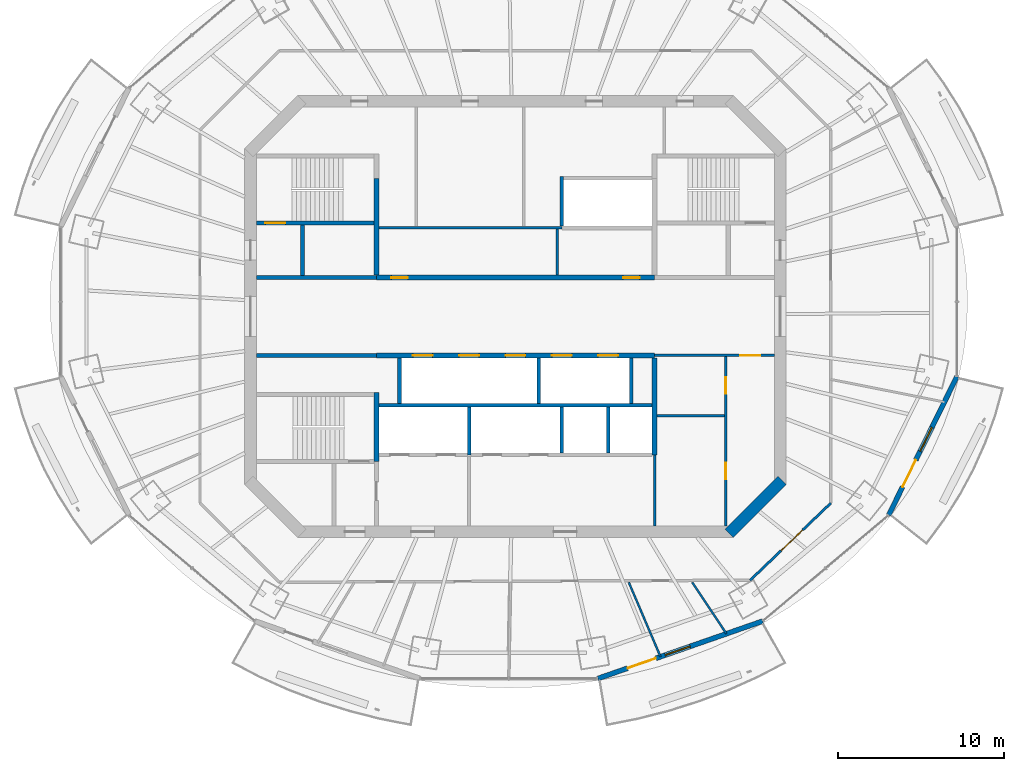
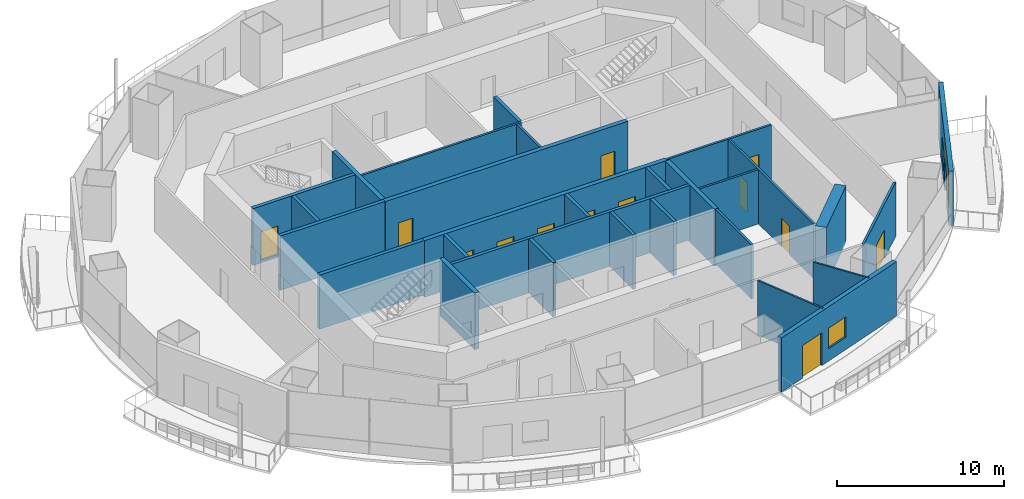
# One storey, part 9 of 16: 29 walls, 14 doors, 2 windows, 16 openings.
"""IFC4 building model written with IfcOpenShell, lengths in metres."""

from ifc_helpers import new_model, si_unit, direction, frame, frame_2d, origin, place, context, subcontext, project, spatial, rectangle, extrude, material, layer, layer_set, type_object, element, fill, save


model = new_model("IFC4")

# Units and contexts
model_context = context("Model", 3, precision=1e-05, world=origin(), true_north=direction((0.0, 1.0)))
body_context = subcontext(model_context, "Body", "Model", "MODEL_VIEW")
ifc_project = project(units=[si_unit("LENGTHUNIT", "METRE"), si_unit("AREAUNIT", "SQUARE_METRE"), si_unit("VOLUMEUNIT", "CUBIC_METRE"), si_unit("PLANEANGLEUNIT", "RADIAN"), si_unit("MASSUNIT", "GRAM", prefix="KILO")], contexts=[model_context])

# Site, building, storey
site_placement = place(None, origin())
site = spatial("IfcSite", under=ifc_project, at=site_placement, CompositionType="ELEMENT")
building_placement = place(site_placement, origin())
building = spatial("IfcBuilding", under=site, at=building_placement, Name="Marenthal Gate Tower", CompositionType="ELEMENT")
storey_placement = place(building_placement, frame((0.0, 0.0, 321.85009765625)))
storey = spatial("IfcBuildingStorey", under=building, at=storey_placement, Name="L72", CompositionType="ELEMENT", Elevation=321.85009765625)

# Wall
ifc_material_1 = material(Name="Concrete 60 MPa", Category="concrete")
ifc_layer_1 = layer(ifc_material_1, 0.699951171875)
ifc_layer_set_1 = layer_set([ifc_layer_1], Name="Core shear wall 700")
wall_type_1 = type_object("IfcWallType", Name="Core shear wall 700", PredefinedType="SHEAR", material=ifc_layer_set_1)
wall_1_placement = place(storey_placement, frame((12.8974609375, -13.1025390625, -0.18017578125), z_axis=(0.0, 0.0, 1.0), x_axis=(0.707106781187, 0.707106781187, 0.0)))
element("IfcWall", 1, at=wall_1_placement, inside=storey, type_object=wall_type_1, Name="Core wall 01", PredefinedType="SHEAR", context=body_context, shape_type="SweptSolid", body=[
    extrude(rectangle(XDim=4.53271484375, YDim=0.699951171875, at=frame_2d((2.266357421875, 0.0))), origin(), (0.0, 0.0, 1.0), 4.150146484375),
])

# Wall, openings, doors
ifc_material_2 = material(Name="Concrete 50 MPa", Category="concrete")
ifc_layer_2 = layer(ifc_material_2, 0.300048828125)
ifc_layer_set_2 = layer_set([ifc_layer_2], Name="Hoistway shear wall 300")
wall_type_2 = type_object("IfcWallType", Name="Hoistway shear wall 300", PredefinedType="SHEAR", material=ifc_layer_set_2)
wall_2_placement = place(storey_placement, frame((-8.39990234375, -2.35009765625, -0.18017578125), z_axis=(0.0, 0.0, 1.0), x_axis=(1.0, 0.0, 0.0)))
wall_2 = element("IfcWall", 2, at=wall_2_placement, inside=storey, type_object=wall_type_2, Name="Hoistway wall 16", PredefinedType="SHEAR", context=body_context, shape_type="SweptSolid", body=[
    extrude(rectangle(XDim=16.7998046875, YDim=0.300048828125, at=frame_2d((8.39990234375, 0.0))), origin(), (0.0, 0.0, 1.0), 4.150146484375),
])
opening_1_placement = place(wall_2_placement, frame((2.199951171875, 0.0, 0.179931640625)))
opening_1 = element("IfcOpeningElement", 3, at=opening_1_placement, cuts=wall_2, Name="Opening LD-HP1", PredefinedType="OPENING", context=body_context, shape_type="SweptSolid", body=[
    extrude(rectangle(XDim=1.199951171875, YDim=2.10009765625, at=frame_2d((0.60009765625, 1.050048828125))), frame((0.0, 0.16015625, 0.0), z_axis=(0.0, -1.0, 0.0), x_axis=(1.0, 0.0, 0.0)), (0.0, 0.0, 1.0), 0.320068359375),
])
opening_2_placement = place(wall_2_placement, frame((5.0, 0.0, 0.179931640625)))
opening_2 = element("IfcOpeningElement", 4, at=opening_2_placement, cuts=wall_2, Name="Opening LD-HP2", PredefinedType="OPENING", context=body_context, shape_type="SweptSolid", body=[
    extrude(rectangle(XDim=1.199951171875, YDim=2.10009765625, at=frame_2d((0.60009765625, 1.050048828125))), frame((0.0, 0.16015625, 0.0), z_axis=(0.0, -1.0, 0.0), x_axis=(1.0, 0.0, 0.0)), (0.0, 0.0, 1.0), 0.320068359375),
])
opening_3_placement = place(wall_2_placement, frame((7.800048828125, 0.0, 0.179931640625)))
opening_3 = element("IfcOpeningElement", 5, at=opening_3_placement, cuts=wall_2, Name="Opening LD-HP3", PredefinedType="OPENING", context=body_context, shape_type="SweptSolid", body=[
    extrude(rectangle(XDim=1.199951171875, YDim=2.10009765625, at=frame_2d((0.60009765625, 1.050048828125))), frame((0.0, 0.16015625, 0.0), z_axis=(0.0, -1.0, 0.0), x_axis=(1.0, 0.0, 0.0)), (0.0, 0.0, 1.0), 0.320068359375),
])
opening_4_placement = place(wall_2_placement, frame((10.60009765625, 0.0, 0.179931640625)))
opening_4 = element("IfcOpeningElement", 6, at=opening_4_placement, cuts=wall_2, Name="Opening LD-HP4", PredefinedType="OPENING", context=body_context, shape_type="SweptSolid", body=[
    extrude(rectangle(XDim=1.199951171875, YDim=2.10009765625, at=frame_2d((0.60009765625, 1.050048828125))), frame((0.0, 0.16015625, 0.0), z_axis=(0.0, -1.0, 0.0), x_axis=(1.0, 0.0, 0.0)), (0.0, 0.0, 1.0), 0.320068359375),
])
opening_5_placement = place(wall_2_placement, frame((13.39990234375, 0.0, 0.179931640625)))
opening_5 = element("IfcOpeningElement", 7, at=opening_5_placement, cuts=wall_2, Name="Opening LD-HP5", PredefinedType="OPENING", context=body_context, shape_type="SweptSolid", body=[
    extrude(rectangle(XDim=1.199951171875, YDim=2.10009765625, at=frame_2d((0.60009765625, 1.050048828125))), frame((0.0, 0.16015625, 0.0), z_axis=(0.0, -1.0, 0.0), x_axis=(1.0, 0.0, 0.0)), (0.0, 0.0, 1.0), 0.320068359375),
])
ifc_material_3 = material(Name="Stainless steel sliding door", Category="steel")
door_type_1 = type_object("IfcDoorType", Name="Lift landing door FD 90 1200 x 2100", OperationType="DOUBLE_DOOR_SLIDING", PredefinedType="DOOR", material=ifc_material_3)
door_1_placement = place(opening_1_placement, origin())
door_1 = element("IfcDoor", 8, at=door_1_placement, inside=storey, type_object=door_type_1, Name="Lift landing door HP1", OperationType="DOUBLE_DOOR_SLIDING", OverallHeight=2.10009765625, OverallWidth=1.199951171875, PredefinedType="DOOR", context=body_context, shape_type="SweptSolid", body=[
    extrude(rectangle(XDim=1.199951171875, YDim=2.10009765625, at=frame_2d((0.60009765625, 1.050048828125))), frame((0.0, 0.02490234375, 0.0), z_axis=(0.0, -1.0, 0.0), x_axis=(1.0, 0.0, 0.0)), (0.0, 0.0, 1.0), 0.050048828125),
])
fill(opening_1, door_1)
door_2_placement = place(opening_2_placement, origin())
door_2 = element("IfcDoor", 9, at=door_2_placement, inside=storey, type_object=door_type_1, Name="Lift landing door HP2", OperationType="DOUBLE_DOOR_SLIDING", OverallHeight=2.10009765625, OverallWidth=1.199951171875, PredefinedType="DOOR", context=body_context, shape_type="SweptSolid", body=[
    extrude(rectangle(XDim=1.199951171875, YDim=2.10009765625, at=frame_2d((0.60009765625, 1.050048828125))), frame((0.0, 0.02490234375, 0.0), z_axis=(0.0, -1.0, 0.0), x_axis=(1.0, 0.0, 0.0)), (0.0, 0.0, 1.0), 0.050048828125),
])
fill(opening_2, door_2)
door_3_placement = place(opening_3_placement, origin())
door_3 = element("IfcDoor", 10, at=door_3_placement, inside=storey, type_object=door_type_1, Name="Lift landing door HP3", OperationType="DOUBLE_DOOR_SLIDING", OverallHeight=2.10009765625, OverallWidth=1.199951171875, PredefinedType="DOOR", context=body_context, shape_type="SweptSolid", body=[
    extrude(rectangle(XDim=1.199951171875, YDim=2.10009765625, at=frame_2d((0.60009765625, 1.050048828125))), frame((0.0, 0.02490234375, 0.0), z_axis=(0.0, -1.0, 0.0), x_axis=(1.0, 0.0, 0.0)), (0.0, 0.0, 1.0), 0.050048828125),
])
fill(opening_3, door_3)
door_4_placement = place(opening_4_placement, origin())
door_4 = element("IfcDoor", 11, at=door_4_placement, inside=storey, type_object=door_type_1, Name="Lift landing door HP4", OperationType="DOUBLE_DOOR_SLIDING", OverallHeight=2.10009765625, OverallWidth=1.199951171875, PredefinedType="DOOR", context=body_context, shape_type="SweptSolid", body=[
    extrude(rectangle(XDim=1.199951171875, YDim=2.10009765625, at=frame_2d((0.60009765625, 1.050048828125))), frame((0.0, 0.02490234375, 0.0), z_axis=(0.0, -1.0, 0.0), x_axis=(1.0, 0.0, 0.0)), (0.0, 0.0, 1.0), 0.050048828125),
])
fill(opening_4, door_4)
door_5_placement = place(opening_5_placement, origin())
door_5 = element("IfcDoor", 12, at=door_5_placement, inside=storey, type_object=door_type_1, Name="Lift landing door HP5", OperationType="DOUBLE_DOOR_SLIDING", OverallHeight=2.10009765625, OverallWidth=1.199951171875, PredefinedType="DOOR", context=body_context, shape_type="SweptSolid", body=[
    extrude(rectangle(XDim=1.199951171875, YDim=2.10009765625, at=frame_2d((0.60009765625, 1.050048828125))), frame((0.0, 0.02490234375, 0.0), z_axis=(0.0, -1.0, 0.0), x_axis=(1.0, 0.0, 0.0)), (0.0, 0.0, 1.0), 0.050048828125),
])
fill(opening_5, door_5)

wall_3_placement = place(storey_placement, frame((-8.39990234375, 2.35009765625, -0.18017578125), z_axis=(0.0, 0.0, 1.0), x_axis=(1.0, 0.0, 0.0)))
wall_3 = element("IfcWall", 13, at=wall_3_placement, inside=storey, type_object=wall_type_2, Name="Hoistway wall 19", PredefinedType="SHEAR", context=body_context, shape_type="SweptSolid", body=[
    extrude(rectangle(XDim=16.7998046875, YDim=0.300048828125, at=frame_2d((8.39990234375, 0.0))), origin(), (0.0, 0.0, 1.0), 4.150146484375),
])
opening_6_placement = place(wall_3_placement, frame((0.89990234375, 0.0, 0.179931640625)))
opening_6 = element("IfcOpeningElement", 14, at=opening_6_placement, cuts=wall_3, Name="Opening D005.01", PredefinedType="OPENING", context=body_context, shape_type="SweptSolid", body=[
    extrude(rectangle(XDim=1.0, YDim=2.10009765625, at=frame_2d((0.5, 1.050048828125))), frame((0.0, 0.16015625, 0.0), z_axis=(0.0, -1.0, 0.0), x_axis=(1.0, 0.0, 0.0)), (0.0, 0.0, 1.0), 0.320068359375),
])
opening_7_placement = place(wall_3_placement, frame((14.89990234375, 0.0, 0.179931640625)))
opening_7 = element("IfcOpeningElement", 15, at=opening_7_placement, cuts=wall_3, Name="Opening D005.02", PredefinedType="OPENING", context=body_context, shape_type="SweptSolid", body=[
    extrude(rectangle(XDim=1.0, YDim=2.10009765625, at=frame_2d((0.5, 1.050048828125))), frame((0.0, 0.16015625, 0.0), z_axis=(0.0, -1.0, 0.0), x_axis=(1.0, 0.0, 0.0)), (0.0, 0.0, 1.0), 0.320068359375),
])
ifc_material_4 = material(Name="Steel fire door", Category="steel")
door_type_2 = type_object("IfcDoorType", Name="Fire door FD 45 1000 x 2100", OperationType="NOTDEFINED", PredefinedType="DOOR", material=ifc_material_4)
door_6_placement = place(opening_6_placement, origin())
door_6 = element("IfcDoor", 16, at=door_6_placement, inside=storey, type_object=door_type_2, Name="Door D005.01", OperationType="SINGLE_SWING_RIGHT", OverallHeight=2.10009765625, OverallWidth=1.0, PredefinedType="DOOR", context=body_context, shape_type="SweptSolid", body=[
    extrude(rectangle(XDim=1.0, YDim=2.10009765625, at=frame_2d((0.5, 1.050048828125))), frame((0.0, 0.02490234375, 0.0), z_axis=(0.0, -1.0, 0.0), x_axis=(1.0, 0.0, 0.0)), (0.0, 0.0, 1.0), 0.050048828125),
])
fill(opening_6, door_6)
door_7_placement = place(opening_7_placement, origin())
door_7 = element("IfcDoor", 17, at=door_7_placement, inside=storey, type_object=door_type_2, Name="Door D005.02", OperationType="SINGLE_SWING_RIGHT", OverallHeight=2.10009765625, OverallWidth=1.0, PredefinedType="DOOR", context=body_context, shape_type="SweptSolid", body=[
    extrude(rectangle(XDim=1.0, YDim=2.10009765625, at=frame_2d((0.5, 1.050048828125))), frame((0.0, 0.02490234375, 0.0), z_axis=(0.0, -1.0, 0.0), x_axis=(1.0, 0.0, 0.0)), (0.0, 0.0, 1.0), 0.050048828125),
])
fill(opening_7, door_7)

# Walls
wall_4_placement = place(storey_placement, frame((-8.39990234375, -8.75, -0.18017578125), z_axis=(0.0, 0.0, 1.0), x_axis=(0.0, 1.0, 0.0)))
element("IfcWall", 18, at=wall_4_placement, inside=storey, type_object=wall_type_2, Name="Hoistway wall 31", PredefinedType="SHEAR", context=body_context, shape_type="SweptSolid", body=[
    extrude(rectangle(XDim=4.175048828125, YDim=0.300048828125, at=frame_2d((2.08740234375, 0.0))), origin(), (0.0, 0.0, 1.0), 4.150146484375),
])
for number, where, z_axis, x_axis, name in (
    (19, (-8.39990234375, 2.5, -0.18017578125), (0.0, 0.0, 1.0), (0.0, 1.0, 0.0), "Hoistway wall 32"),
    (20, (8.39990234375, -8.35009765625, -0.18017578125), (0.0, 0.0, 1.0), (0.0, 1.0, 0.0), "Hoistway wall 46"),
):
    element("IfcWall", number, at=place(storey_placement, frame(where, z_axis=z_axis, x_axis=x_axis)), inside=storey, type_object=wall_type_2, Name=name, PredefinedType="SHEAR", context=body_context, shape_type="SweptSolid", body=[
        extrude(rectangle(XDim=5.85009765625, YDim=0.300048828125, at=frame_2d((2.925048828125, 0.0))), origin(), (0.0, 0.0, 1.0), 4.150146484375),
    ])
ifc_material_5 = material(Name="Concrete 40 MPa", Category="concrete")
ifc_layer_3 = layer(ifc_material_5, 0.219970703125)
ifc_layer_set_3 = layer_set([ifc_layer_3], Name="Hoistway wall 220")
wall_type_3 = type_object("IfcWallType", Name="Hoistway wall 220", PredefinedType="STANDARD", material=ifc_layer_set_3)
wall_5_placement = place(storey_placement, frame((-8.25, -5.35009765625, 0.0), z_axis=(0.0, 0.0, 1.0), x_axis=(1.0, 0.0, 0.0)))
element("IfcWall", 21, at=wall_5_placement, inside=storey, type_object=wall_type_3, Name="Hoistway wall 13", PredefinedType="STANDARD", context=body_context, shape_type="SweptSolid", body=[
    extrude(rectangle(XDim=16.5, YDim=0.219970703125, at=frame_2d((8.25, 0.0))), origin(), (0.0, 0.0, 1.0), 3.969970703125),
])
wall_6_placement = place(storey_placement, frame((-7.0, -5.239990234375, 0.0), z_axis=(0.0, 0.0, 1.0), x_axis=(0.0, 1.0, 0.0)))
element("IfcWall", 22, at=wall_6_placement, inside=storey, type_object=wall_type_3, Name="Hoistway wall 34", PredefinedType="STANDARD", context=body_context, shape_type="SweptSolid", body=[
    extrude(rectangle(XDim=2.739990234375, YDim=0.219970703125, at=frame_2d((1.3701171875, 0.0))), origin(), (0.0, 0.0, 1.0), 3.969970703125),
])
wall_7_placement = place(storey_placement, frame((-2.800048828125, -8.35009765625, 0.0), z_axis=(0.0, 0.0, 1.0), x_axis=(0.0, 1.0, 0.0)))
element("IfcWall", 23, at=wall_7_placement, inside=storey, type_object=wall_type_3, Name="Hoistway wall 37", PredefinedType="STANDARD", context=body_context, shape_type="SweptSolid", body=[
    extrude(rectangle(XDim=2.89013671875, YDim=0.219970703125, at=frame_2d((1.445068359375, 0.0))), origin(), (0.0, 0.0, 1.0), 3.969970703125),
])
wall_8_placement = place(storey_placement, frame((1.39990234375, -5.239990234375, 0.0), z_axis=(0.0, 0.0, 1.0), x_axis=(0.0, 1.0, 0.0)))
element("IfcWall", 24, at=wall_8_placement, inside=storey, type_object=wall_type_3, Name="Hoistway wall 39", PredefinedType="STANDARD", context=body_context, shape_type="SweptSolid", body=[
    extrude(rectangle(XDim=2.739990234375, YDim=0.219970703125, at=frame_2d((1.3701171875, 0.0))), origin(), (0.0, 0.0, 1.0), 3.969970703125),
])
wall_9_placement = place(storey_placement, frame((2.800048828125, -8.239990234375, 0.0), z_axis=(0.0, 0.0, 1.0), x_axis=(0.0, 1.0, 0.0)))
element("IfcWall", 25, at=wall_9_placement, inside=storey, type_object=wall_type_3, Name="Hoistway wall 41", PredefinedType="STANDARD", context=body_context, shape_type="SweptSolid", body=[
    extrude(rectangle(XDim=2.780029296875, YDim=0.219970703125, at=frame_2d((1.39013671875, 0.0))), origin(), (0.0, 0.0, 1.0), 3.969970703125),
])
wall_10_placement = place(storey_placement, frame((2.800048828125, 5.4599609375, 0.0), z_axis=(0.0, 0.0, 1.0), x_axis=(0.0, 1.0, 0.0)))
element("IfcWall", 26, at=wall_10_placement, inside=storey, type_object=wall_type_3, Name="Hoistway wall 42", PredefinedType="STANDARD", context=body_context, shape_type="SweptSolid", body=[
    extrude(rectangle(XDim=3.0, YDim=0.219970703125, at=frame_2d((1.5, 0.0))), origin(), (0.0, 0.0, 1.0), 3.969970703125),
])
wall_11_placement = place(storey_placement, frame((5.60009765625, -8.239990234375, 0.0), z_axis=(0.0, 0.0, 1.0), x_axis=(0.0, 1.0, 0.0)))
element("IfcWall", 27, at=wall_11_placement, inside=storey, type_object=wall_type_3, Name="Hoistway wall 43", PredefinedType="STANDARD", context=body_context, shape_type="SweptSolid", body=[
    extrude(rectangle(XDim=2.780029296875, YDim=0.219970703125, at=frame_2d((1.39013671875, 0.0))), origin(), (0.0, 0.0, 1.0), 3.969970703125),
])
wall_12_placement = place(storey_placement, frame((7.0, -5.239990234375, 0.0), z_axis=(0.0, 0.0, 1.0), x_axis=(0.0, 1.0, 0.0)))
element("IfcWall", 28, at=wall_12_placement, inside=storey, type_object=wall_type_3, Name="Hoistway wall 44", PredefinedType="STANDARD", context=body_context, shape_type="SweptSolid", body=[
    extrude(rectangle(XDim=2.739990234375, YDim=0.219970703125, at=frame_2d((1.3701171875, 0.0))), origin(), (0.0, 0.0, 1.0), 3.969970703125),
])
ifc_material_6 = material(Name="Gypsum board on steel studs", Category="steel")
ifc_layer_4 = layer(ifc_material_6, 0.1201171875)
ifc_layer_set_4 = layer_set([ifc_layer_4], Name="Partition 120")
wall_type_4 = type_object("IfcWallType", Name="Partition 120", PredefinedType="PARTITIONING", material=ifc_layer_set_4)
wall_13_placement = place(storey_placement, frame((6.843505859375, -16.050048828125, 0.0), z_axis=(0.0, 0.0, 1.0), x_axis=(0.392236363269, -0.919864465739, 0.0)))
element("IfcWall", 29, at=wall_13_placement, inside=storey, type_object=wall_type_4, Name="Partition wall 62", PredefinedType="PARTITIONING", context=body_context, shape_type="SweptSolid", body=[
    extrude(rectangle(XDim=4.88671875, YDim=0.1201171875, at=frame_2d((2.443359375, 0.0))), origin(), (0.0, 0.0, 1.0), 3.969970703125),
])
wall_14_placement = place(storey_placement, frame((10.6748046875, -16.050048828125, 0.0), z_axis=(0.0, 0.0, 1.0), x_axis=(0.553809323765, -0.832643520908, 0.0)))
element("IfcWall", 30, at=wall_14_placement, inside=storey, type_object=wall_type_4, Name="Partition wall 63", PredefinedType="PARTITIONING", context=body_context, shape_type="SweptSolid", body=[
    extrude(rectangle(XDim=3.732666015625, YDim=0.1201171875, at=frame_2d((1.8662109375, 0.0))), origin(), (0.0, 0.0, 1.0), 3.969970703125),
])
ifc_material_7 = material(Name="Gypsum board on steel studs", Category="steel")
ifc_layer_5 = layer(ifc_material_7, 0.14990234375)
ifc_layer_set_5 = layer_set([ifc_layer_5], Name="Partition 150")
wall_type_5 = type_object("IfcWallType", Name="Partition 150", PredefinedType="PARTITIONING", material=ifc_layer_set_5)
wall_15_placement = place(storey_placement, frame((8.550048828125, -6.0, 0.0), z_axis=(0.0, 0.0, 1.0), x_axis=(1.0, 0.0, 0.0)))
element("IfcWall", 31, at=wall_15_placement, inside=storey, type_object=wall_type_5, Name="Partition wall 12", PredefinedType="PARTITIONING", context=body_context, shape_type="SweptSolid", body=[
    extrude(rectangle(XDim=4.074951171875, YDim=0.14990234375, at=frame_2d((2.03759765625, 0.0))), origin(), (0.0, 0.0, 1.0), 3.969970703125),
])

# Wall, opening, door
wall_16_placement = place(storey_placement, frame((8.39990234375, -2.35009765625, 0.0), z_axis=(0.0, 0.0, 1.0), x_axis=(1.0, 0.0, 0.0)))
wall_16 = element("IfcWall", 32, at=wall_16_placement, inside=storey, type_object=wall_type_5, Name="Partition wall 17", PredefinedType="PARTITIONING", context=body_context, shape_type="SweptSolid", body=[
    extrude(rectangle(XDim=7.25, YDim=0.14990234375, at=frame_2d((3.625, 0.0))), origin(), (0.0, 0.0, 1.0), 3.969970703125),
])
opening_8_placement = place(wall_16_placement, frame((5.175048828125, 0.0, 0.0)))
opening_8 = element("IfcOpeningElement", 33, at=opening_8_placement, cuts=wall_16, Name="Opening D006.01", PredefinedType="OPENING", context=body_context, shape_type="SweptSolid", body=[
    extrude(rectangle(XDim=1.199951171875, YDim=2.10009765625, at=frame_2d((0.60009765625, 1.050048828125))), frame((0.0, 0.0849609375, 0.0), z_axis=(0.0, -1.0, 0.0), x_axis=(1.0, 0.0, 0.0)), (0.0, 0.0, 1.0), 0.169921875),
])
ifc_material_8 = material(Name="Steel fire door", Category="steel")
door_type_3 = type_object("IfcDoorType", Name="Fire door FD 45 1200 x 2100", OperationType="NOTDEFINED", PredefinedType="DOOR", material=ifc_material_8)
door_8_placement = place(opening_8_placement, frame((1.199951171875, 0.0, 0.0), z_axis=(0.0, 0.0, 1.0), x_axis=(-1.0, 0.0, 0.0)))
door_8 = element("IfcDoor", 34, at=door_8_placement, inside=storey, type_object=door_type_3, Name="Door D006.01", OperationType="SINGLE_SWING_LEFT", OverallHeight=2.10009765625, OverallWidth=1.199951171875, PredefinedType="DOOR", context=body_context, shape_type="SweptSolid", body=[
    extrude(rectangle(XDim=1.199951171875, YDim=2.10009765625, at=frame_2d((0.60009765625, 1.050048828125))), frame((0.0, 0.02490234375, 0.0), z_axis=(0.0, -1.0, 0.0), x_axis=(1.0, 0.0, 0.0)), (0.0, 0.0, 1.0), 0.050048828125),
])
fill(opening_8, door_8)

# Walls
wall_17_placement = place(storey_placement, frame((-8.25, 5.35009765625, 0.0), z_axis=(0.0, 0.0, 1.0), x_axis=(1.0, 0.0, 0.0)))
element("IfcWall", 35, at=wall_17_placement, inside=storey, type_object=wall_type_5, Name="Partition wall 21", PredefinedType="PARTITIONING", context=body_context, shape_type="SweptSolid", body=[
    extrude(rectangle(XDim=11.050048828125, YDim=0.14990234375, at=frame_2d((5.52490234375, 0.0))), origin(), (0.0, 0.0, 1.0), 3.969970703125),
])
wall_18_placement = place(storey_placement, frame((2.52001953125, 2.5, 0.0), z_axis=(0.0, 0.0, 1.0), x_axis=(0.0, 1.0, 0.0)))
element("IfcWall", 36, at=wall_18_placement, inside=storey, type_object=wall_type_5, Name="Partition wall 40", PredefinedType="PARTITIONING", context=body_context, shape_type="SweptSolid", body=[
    extrude(rectangle(XDim=2.77490234375, YDim=0.14990234375, at=frame_2d((1.387451171875, 0.0))), origin(), (0.0, 0.0, 1.0), 3.969970703125),
])
wall_19_placement = place(storey_placement, frame((8.39990234375, -12.64990234375, 0.0), z_axis=(0.0, 0.0, 1.0), x_axis=(0.0, 1.0, 0.0)))
element("IfcWall", 37, at=wall_19_placement, inside=storey, type_object=wall_type_5, Name="Partition wall 45", PredefinedType="PARTITIONING", context=body_context, shape_type="SweptSolid", body=[
    extrude(rectangle(XDim=4.2998046875, YDim=0.14990234375, at=frame_2d((2.14990234375, 0.0))), origin(), (0.0, 0.0, 1.0), 3.969970703125),
])

# Wall, openings, doors
wall_20_placement = place(storey_placement, frame((12.699951171875, -12.64990234375, 0.0), z_axis=(0.0, 0.0, 1.0), x_axis=(0.0, 1.0, 0.0)))
wall_20 = element("IfcWall", 38, at=wall_20_placement, inside=storey, type_object=wall_type_5, Name="Partition wall 50", PredefinedType="PARTITIONING", context=body_context, shape_type="SweptSolid", body=[
    extrude(rectangle(XDim=10.224853515625, YDim=0.14990234375, at=frame_2d((5.1123046875, 0.0))), origin(), (0.0, 0.0, 1.0), 3.969970703125),
])
opening_9_placement = place(wall_20_placement, frame((7.97509765625, 0.0, 0.0)))
opening_9 = element("IfcOpeningElement", 39, at=opening_9_placement, cuts=wall_20, Name="Opening D005.07", PredefinedType="OPENING", context=body_context, shape_type="SweptSolid", body=[
    extrude(rectangle(XDim=1.0, YDim=2.10009765625, at=frame_2d((0.5, 1.050048828125))), frame((0.0, 0.0849609375, 0.0), z_axis=(0.0, -1.0, 0.0), x_axis=(1.0, 0.0, 0.0)), (0.0, 0.0, 1.0), 0.169921875),
])
opening_10_placement = place(wall_20_placement, frame((2.824951171875, 0.0, 0.0)))
opening_10 = element("IfcOpeningElement", 40, at=opening_10_placement, cuts=wall_20, Name="Opening D005.08", PredefinedType="OPENING", context=body_context, shape_type="SweptSolid", body=[
    extrude(rectangle(XDim=1.0, YDim=2.10009765625, at=frame_2d((0.5, 1.050048828125))), frame((0.0, 0.0849609375, 0.0), z_axis=(0.0, -1.0, 0.0), x_axis=(1.0, 0.0, 0.0)), (0.0, 0.0, 1.0), 0.169921875),
])
door_9_placement = place(opening_9_placement, origin())
door_9 = element("IfcDoor", 41, at=door_9_placement, inside=storey, type_object=door_type_2, Name="Door D005.07", OperationType="SINGLE_SWING_RIGHT", OverallHeight=2.10009765625, OverallWidth=1.0, PredefinedType="DOOR", context=body_context, shape_type="SweptSolid", body=[
    extrude(rectangle(XDim=1.0, YDim=2.10009765625, at=frame_2d((0.5, 1.050048828125))), frame((0.0, 0.02490234375, 0.0), z_axis=(0.0, -1.0, 0.0), x_axis=(1.0, 0.0, 0.0)), (0.0, 0.0, 1.0), 0.050048828125),
])
fill(opening_9, door_9)
door_10_placement = place(opening_10_placement, origin())
door_10 = element("IfcDoor", 42, at=door_10_placement, inside=storey, type_object=door_type_2, Name="Door D005.08", OperationType="SINGLE_SWING_RIGHT", OverallHeight=2.10009765625, OverallWidth=1.0, PredefinedType="DOOR", context=body_context, shape_type="SweptSolid", body=[
    extrude(rectangle(XDim=1.0, YDim=2.10009765625, at=frame_2d((0.5, 1.050048828125))), frame((0.0, 0.02490234375, 0.0), z_axis=(0.0, -1.0, 0.0), x_axis=(1.0, 0.0, 0.0)), (0.0, 0.0, 1.0), 0.050048828125),
])
fill(opening_10, door_10)

# Wall, opening, door
wall_21_placement = place(storey_placement, frame((19.050048828125, -11.263427734375, 0.0), z_axis=(0.0, 0.0, 1.0), x_axis=(-0.722587616722, -0.691279347414, 0.0)))
wall_21 = element("IfcWall", 43, at=wall_21_placement, inside=storey, type_object=wall_type_5, Name="Partition wall 66", PredefinedType="PARTITIONING", context=body_context, shape_type="SweptSolid", body=[
    extrude(rectangle(XDim=6.7451171875, YDim=0.14990234375, at=frame_2d((3.37255859375, 0.0))), origin(), (0.0, 0.0, 1.0), 3.969970703125),
])
opening_11_placement = place(wall_21_placement, frame((2.360107421875, 0.0, 0.0)))
opening_11 = element("IfcOpeningElement", 44, at=opening_11_placement, cuts=wall_21, Name="Opening D014.02", PredefinedType="OPENING", context=body_context, shape_type="SweptSolid", body=[
    extrude(rectangle(XDim=1.800048828125, YDim=2.10009765625, at=frame_2d((0.89990234375, 1.050048828125))), frame((0.0, 0.0849609375, 0.0), z_axis=(0.0, -1.0, 0.0), x_axis=(1.0, 0.0, 0.0)), (0.0, 0.0, 1.0), 0.169921875),
])
ifc_material_9 = material(Name="Timber door", Category="wood")
door_type_4 = type_object("IfcDoorType", Name="Double door 1800 x 2100", OperationType="DOUBLE_DOOR_SINGLE_SWING", PredefinedType="DOOR", material=ifc_material_9)
door_11_placement = place(opening_11_placement, origin())
door_11 = element("IfcDoor", 45, at=door_11_placement, inside=storey, type_object=door_type_4, Name="Door D014.02", OperationType="DOUBLE_DOOR_SINGLE_SWING", OverallHeight=2.10009765625, OverallWidth=1.800048828125, PredefinedType="DOOR", context=body_context, shape_type="SweptSolid", body=[
    extrude(rectangle(XDim=1.800048828125, YDim=2.10009765625, at=frame_2d((0.89990234375, 1.050048828125))), frame((0.0, 0.02490234375, 0.0), z_axis=(0.0, -1.0, 0.0), x_axis=(1.0, 0.0, 0.0)), (0.0, 0.0, 1.0), 0.050048828125),
])
fill(opening_11, door_11)

# Walls
ifc_material_10 = material(Name="Concrete 40 MPa", Category="concrete")
ifc_layer_6 = layer(ifc_material_10, 0.25)
ifc_layer_set_6 = layer_set([ifc_layer_6], Name="Stair enclosure wall 250")
wall_type_6 = type_object("IfcWallType", Name="Stair enclosure wall 250", PredefinedType="STANDARD", material=ifc_layer_set_6)
for number, where, z_axis, x_axis, name in (
    (46, (-15.64990234375, -2.35009765625, 0.0), (0.0, 0.0, 1.0), (1.0, 0.0, 0.0), "Stair wall 15"),
    (47, (-15.64990234375, 2.35009765625, 0.0), (0.0, 0.0, 1.0), (1.0, 0.0, 0.0), "Stair wall 18"),
):
    element("IfcWall", number, at=place(storey_placement, frame(where, z_axis=z_axis, x_axis=x_axis)), inside=storey, type_object=wall_type_6, Name=name, PredefinedType="STANDARD", context=body_context, shape_type="SweptSolid", body=[
        extrude(rectangle(XDim=7.25, YDim=0.25, at=frame_2d((3.625, 0.0))), origin(), (0.0, 0.0, 1.0), 3.969970703125),
    ])
wall_22_placement = place(storey_placement, frame((-12.85009765625, 2.47509765625, 0.0), z_axis=(0.0, 0.0, 1.0), x_axis=(0.0, 1.0, 0.0)))
element("IfcWall", 48, at=wall_22_placement, inside=storey, type_object=wall_type_6, Name="Stair wall 28", PredefinedType="STANDARD", context=body_context, shape_type="SweptSolid", body=[
    extrude(rectangle(XDim=3.0498046875, YDim=0.25, at=frame_2d((1.52490234375, 0.0))), origin(), (0.0, 0.0, 1.0), 3.969970703125),
])

# Wall, opening, door
ifc_material_11 = material(Name="Concrete 50 MPa", Category="concrete")
ifc_layer_7 = layer(ifc_material_11, 0.25)
ifc_layer_set_7 = layer_set([ifc_layer_7], Name="Stair shear wall 250")
wall_type_7 = type_object("IfcWallType", Name="Stair shear wall 250", PredefinedType="SHEAR", material=ifc_layer_set_7)
wall_23_placement = place(storey_placement, frame((-15.64990234375, 5.64990234375, -0.18017578125), z_axis=(0.0, 0.0, 1.0), x_axis=(1.0, 0.0, 0.0)))
wall_23 = element("IfcWall", 49, at=wall_23_placement, inside=storey, type_object=wall_type_7, Name="Stair wall 23", PredefinedType="SHEAR", context=body_context, shape_type="SweptSolid", body=[
    extrude(rectangle(XDim=7.099853515625, YDim=0.25, at=frame_2d((3.5498046875, 0.0))), origin(), (0.0, 0.0, 1.0), 4.150146484375),
])
opening_12_placement = place(wall_23_placement, frame((0.550048828125, 0.0, 0.179931640625)))
opening_12 = element("IfcOpeningElement", 50, at=opening_12_placement, cuts=wall_23, Name="Opening D001.01", PredefinedType="OPENING", context=body_context, shape_type="SweptSolid", body=[
    extrude(rectangle(XDim=1.199951171875, YDim=2.10009765625, at=frame_2d((0.60009765625, 1.050048828125))), frame((0.0, 0.135009765625, 0.0), z_axis=(0.0, -1.0, 0.0), x_axis=(1.0, 0.0, 0.0)), (0.0, 0.0, 1.0), 0.27001953125),
])
ifc_material_12 = material(Name="Steel fire door", Category="steel")
door_type_5 = type_object("IfcDoorType", Name="Fire door FD 90 1200 x 2100", OperationType="NOTDEFINED", PredefinedType="DOOR", material=ifc_material_12)
door_12_placement = place(opening_12_placement, origin())
door_12 = element("IfcDoor", 51, at=door_12_placement, inside=storey, type_object=door_type_5, Name="Door D001.01", OperationType="SINGLE_SWING_RIGHT", OverallHeight=2.10009765625, OverallWidth=1.199951171875, PredefinedType="DOOR", context=body_context, shape_type="SweptSolid", body=[
    extrude(rectangle(XDim=1.199951171875, YDim=2.10009765625, at=frame_2d((0.60009765625, 1.050048828125))), frame((0.0, 0.02490234375, 0.0), z_axis=(0.0, -1.0, 0.0), x_axis=(1.0, 0.0, 0.0)), (0.0, 0.0, 1.0), 0.050048828125),
])
fill(opening_12, door_12)

# Wall, openings, door, window
ifc_material_13 = material(Name="Terracotta cladding on insulated concrete-block backing", Category="masonry")
ifc_layer_8 = layer(ifc_material_13, 0.300048828125)
ifc_layer_set_8 = layer_set([ifc_layer_8], Name="Terracotta facade wall 300")
wall_type_8 = type_object("IfcWallType", Name="Terracotta facade wall 300", PredefinedType="SOLIDWALL", material=ifc_layer_set_8)
wall_24_placement = place(storey_placement, frame((4.98291015625, -21.861083984375, 0.0), z_axis=(0.0, 0.0, 1.0), x_axis=(0.944334385595, 0.328987185438, 0.0)))
wall_24 = element("IfcWall", 52, at=wall_24_placement, inside=storey, type_object=wall_type_8, Name="Terracotta facade wall L72 bay 13", PredefinedType="SOLIDWALL", context=body_context, shape_type="SweptSolid", body=[
    extrude(rectangle(XDim=10.532470703125, YDim=0.300048828125, at=frame_2d((5.26611328125, 0.0))), origin(), (0.0, 0.0, 1.0), 3.969970703125),
])
opening_13_placement = place(wall_24_placement, frame((1.89990234375, 0.0, 0.0)))
opening_13 = element("IfcOpeningElement", 53, at=opening_13_placement, cuts=wall_24, Name="Opening BD-L72-13", PredefinedType="OPENING", context=body_context, shape_type="SweptSolid", body=[
    extrude(rectangle(XDim=1.800048828125, YDim=2.39990234375, at=frame_2d((0.89990234375, 1.199951171875))), frame((0.0, 0.16015625, 0.0), z_axis=(0.0, -1.0, 0.0), x_axis=(1.0, 0.0, 0.0)), (0.0, 0.0, 1.0), 0.320068359375),
])
opening_14_placement = place(wall_24_placement, frame((4.300048828125, 0.0, 0.89990234375)))
opening_14 = element("IfcOpeningElement", 54, at=opening_14_placement, cuts=wall_24, Name="Opening WN3-L72-13", PredefinedType="OPENING", context=body_context, shape_type="SweptSolid", body=[
    extrude(rectangle(XDim=1.60009765625, YDim=1.5, at=frame_2d((0.800048828125, 0.75))), frame((0.0, 0.16015625, 0.0), z_axis=(0.0, -1.0, 0.0), x_axis=(1.0, 0.0, 0.0)), (0.0, 0.0, 1.0), 0.320068359375),
])
ifc_material_14 = material(Name="Aluminium and glass", Category="aluminium")
door_type_6 = type_object("IfcDoorType", Name="Balcony door 1800x2400", OperationType="DOUBLE_DOOR_SINGLE_SWING", PredefinedType="DOOR", material=ifc_material_14)
door_13_placement = place(opening_13_placement, origin())
door_13 = element("IfcDoor", 55, at=door_13_placement, inside=storey, type_object=door_type_6, Name="Balcony door L72 bay 13", OperationType="SINGLE_SWING_LEFT", OverallHeight=2.39990234375, OverallWidth=1.800048828125, PredefinedType="DOOR", context=body_context, shape_type="SweptSolid", body=[
    extrude(rectangle(XDim=1.800048828125, YDim=2.39990234375, at=frame_2d((0.89990234375, 1.199951171875))), frame((0.0, 0.02490234375, 0.0), z_axis=(0.0, -1.0, 0.0), x_axis=(1.0, 0.0, 0.0)), (0.0, 0.0, 1.0), 0.050048828125),
])
fill(opening_13, door_13)
ifc_material_15 = material(Name="Aluminium and glass", Category="aluminium")
window_type = type_object("IfcWindowType", Name="Window 1600x1500", PartitioningType="DOUBLE_PANEL_VERTICAL", PredefinedType="WINDOW", material=ifc_material_15)
window_1_placement = place(opening_14_placement, origin())
window_1 = element("IfcWindow", 56, at=window_1_placement, inside=storey, type_object=window_type, Name="Window L72 bay 13", OverallHeight=1.5, OverallWidth=1.60009765625, PartitioningType="SINGLE_PANEL", PredefinedType="WINDOW", context=body_context, shape_type="SweptSolid", body=[
    extrude(rectangle(XDim=1.60009765625, YDim=1.5, at=frame_2d((0.800048828125, 0.75))), frame((0.0, 0.030029296875, 0.0), z_axis=(0.0, -1.0, 0.0), x_axis=(1.0, 0.0, 0.0)), (0.0, 0.0, 1.0), 0.06005859375),
])
fill(opening_14, window_1)

wall_25_placement = place(storey_placement, frame((22.5419921875, -11.9931640625, 0.0), z_axis=(0.0, 0.0, 1.0), x_axis=(0.441801707928, 0.897112730303, 0.0)))
wall_25 = element("IfcWall", 57, at=wall_25_placement, inside=storey, type_object=wall_type_8, Name="Terracotta facade wall L72 bay 15", PredefinedType="SOLIDWALL", context=body_context, shape_type="SweptSolid", body=[
    extrude(rectangle(XDim=9.3251953125, YDim=0.300048828125, at=frame_2d((4.66259765625, 0.0))), origin(), (0.0, 0.0, 1.0), 3.969970703125),
])
opening_15_placement = place(wall_25_placement, frame((1.89990234375, 0.0, 0.0)))
opening_15 = element("IfcOpeningElement", 58, at=opening_15_placement, cuts=wall_25, Name="Opening BD-L72-15", PredefinedType="OPENING", context=body_context, shape_type="SweptSolid", body=[
    extrude(rectangle(XDim=1.800048828125, YDim=2.39990234375, at=frame_2d((0.89990234375, 1.199951171875))), frame((0.0, 0.16015625, 0.0), z_axis=(0.0, -1.0, 0.0), x_axis=(1.0, 0.0, 0.0)), (0.0, 0.0, 1.0), 0.320068359375),
])
opening_16_placement = place(wall_25_placement, frame((4.300048828125, 0.0, 0.89990234375)))
opening_16 = element("IfcOpeningElement", 59, at=opening_16_placement, cuts=wall_25, Name="Opening WN3-L72-15", PredefinedType="OPENING", context=body_context, shape_type="SweptSolid", body=[
    extrude(rectangle(XDim=1.60009765625, YDim=1.5, at=frame_2d((0.800048828125, 0.75))), frame((0.0, 0.16015625, 0.0), z_axis=(0.0, -1.0, 0.0), x_axis=(1.0, 0.0, 0.0)), (0.0, 0.0, 1.0), 0.320068359375),
])
door_14_placement = place(opening_15_placement, origin())
door_14 = element("IfcDoor", 60, at=door_14_placement, inside=storey, type_object=door_type_6, Name="Balcony door L72 bay 15", OperationType="SINGLE_SWING_LEFT", OverallHeight=2.39990234375, OverallWidth=1.800048828125, PredefinedType="DOOR", context=body_context, shape_type="SweptSolid", body=[
    extrude(rectangle(XDim=1.800048828125, YDim=2.39990234375, at=frame_2d((0.89990234375, 1.199951171875))), frame((0.0, 0.02490234375, 0.0), z_axis=(0.0, -1.0, 0.0), x_axis=(1.0, 0.0, 0.0)), (0.0, 0.0, 1.0), 0.050048828125),
])
fill(opening_15, door_14)
window_2_placement = place(opening_16_placement, origin())
window_2 = element("IfcWindow", 61, at=window_2_placement, inside=storey, type_object=window_type, Name="Window L72 bay 15", OverallHeight=1.5, OverallWidth=1.60009765625, PartitioningType="SINGLE_PANEL", PredefinedType="WINDOW", context=body_context, shape_type="SweptSolid", body=[
    extrude(rectangle(XDim=1.60009765625, YDim=1.5, at=frame_2d((0.800048828125, 0.75))), frame((0.0, 0.030029296875, 0.0), z_axis=(0.0, -1.0, 0.0), x_axis=(1.0, 0.0, 0.0)), (0.0, 0.0, 1.0), 0.06005859375),
])
fill(opening_16, window_2)

save(model, "model.ifc")
